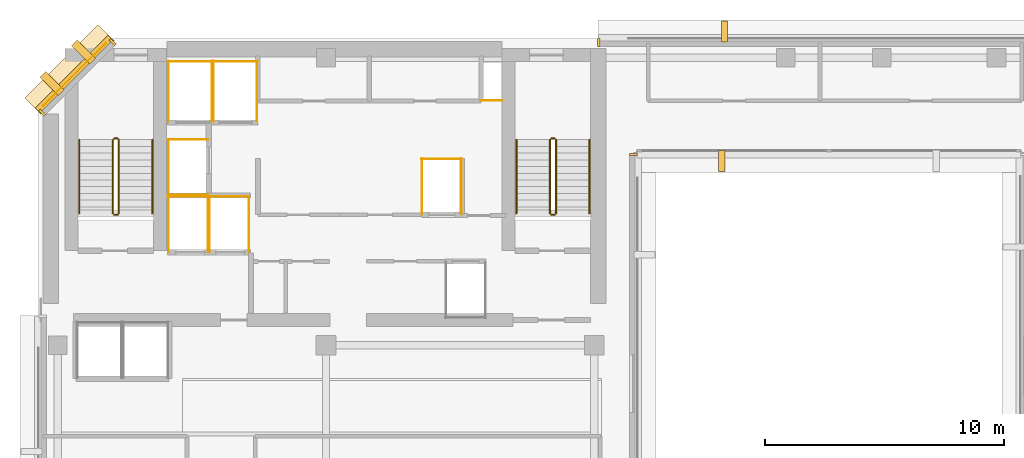
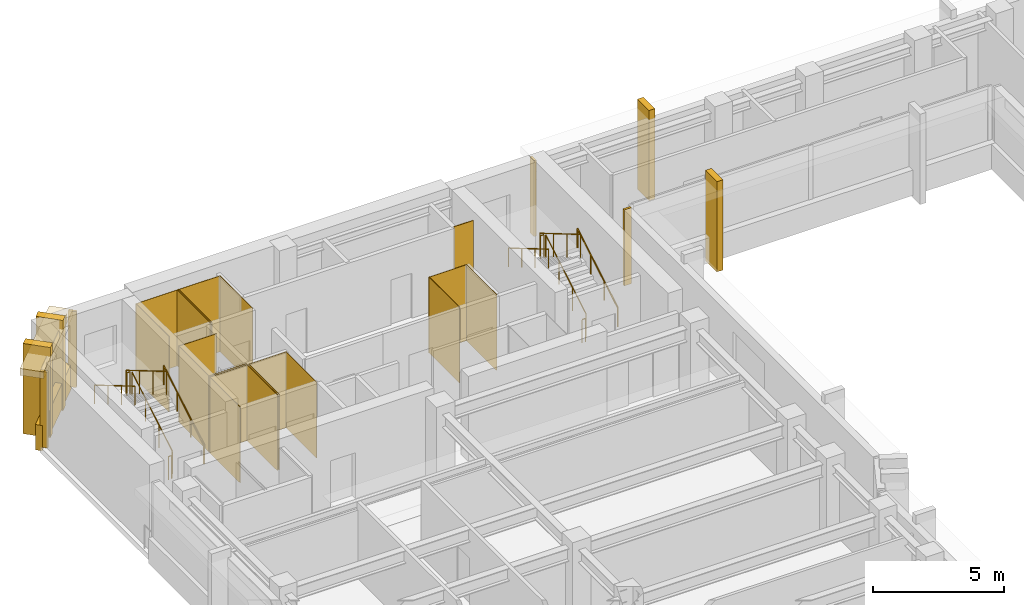
# One storey, part 10 of 11: 30 coverings, 12 railings.
"""IFC4 building model written with IfcOpenShell, lengths in metres."""

import ifcopenshell
import ifcopenshell.guid

model = None  # the IFC model being written
_history = None  # IfcOwnerHistory: only IFC2X3 demands one
_inside = {}  # id of a spatial element -> (the spatial element, [elements in it])
_under = {}  # id of a project, library or spatial element -> (it, [spatial elements below it])
_declared = {}  # id of a project -> (the project, [libraries it declares])
_typed = {}  # id of a type object -> (the type object, [elements of that type])
_made_of = {}  # id of a material, layer set ... -> (it, [elements and type objects made of it])


def new_model(schema):
    """Start an empty IFC model of exactly this schema.

    Asked for "IFC4X3", IfcOpenShell would pick the latest addendum, in which some entities
    have other attributes; the version numbers below select the first issue.
    IFC2X3 requires an IfcOwnerHistory on every rooted entity: one is made here for all.
    """
    global model, _history
    if schema == "IFC4X3":
        model = ifcopenshell.file(schema_version=(4, 3, 0, 0))
    else:
        model = ifcopenshell.file(schema=schema)
    _inside.clear()
    _under.clear()
    _declared.clear()
    _typed.clear()
    _made_of.clear()
    _history = None
    if model.schema == "IFC2X3":
        org = make("IfcOrganization", Name="unknown")
        user = make(
            "IfcPersonAndOrganization",
            ThePerson=make("IfcPerson", FamilyName="unknown"),
            TheOrganization=org,
        )
        app = make(
            "IfcApplication",
            ApplicationDeveloper=org,
            Version="unknown",
            ApplicationFullName="unknown",
            ApplicationIdentifier="unknown",
        )
        _history = make(
            "IfcOwnerHistory",
            OwningUser=user,
            OwningApplication=app,
            ChangeAction="ADDED",
            CreationDate=0,
        )
    return model


def make(cls, **values):
    """One entity of the class cls with the attributes given. An attribute that is None is left unset."""
    return model.create_entity(
        cls, **{name: value for name, value in values.items() if value is not None}
    )


def rooted(cls, **values):
    """An entity with a GlobalId (a new one), such as an element, a storey or a relation."""
    return make(cls, GlobalId=ifcopenshell.guid.new(), OwnerHistory=_history, **values)


def si_unit(unit_type, name, prefix=None):
    """IfcSIUnit, for example si_unit("LENGTHUNIT", "METRE", prefix="MILLI")."""
    return make("IfcSIUnit", UnitType=unit_type, Prefix=prefix, Name=name)


def assignment(units):
    """IfcUnitAssignment: the units of a project."""
    return None if units is None else make("IfcUnitAssignment", Units=units)


def point(xyz):
    """IfcCartesianPoint."""
    return None if xyz is None else make("IfcCartesianPoint", Coordinates=xyz)


def direction(xyz):
    """IfcDirection."""
    return None if xyz is None else make("IfcDirection", DirectionRatios=xyz)


def frame(location, z_axis=None, x_axis=None):
    """IfcAxis2Placement3D, a coordinate frame: its origin and axes. An axis left out is left unset."""
    return make(
        "IfcAxis2Placement3D",
        Location=point(location),
        Axis=direction(z_axis),
        RefDirection=direction(x_axis),
    )


def frame_2d(location, x_axis=None):
    """IfcAxis2Placement2D, a coordinate frame in the plane: its origin and x axis."""
    return make(
        "IfcAxis2Placement2D", Location=point(location), RefDirection=direction(x_axis)
    )


def origin():
    """The frame at (0, 0, 0) with its axes left unset."""
    return frame((0.0, 0.0, 0.0))


def origin_2d():
    """The frame at (0, 0) in the plane with its x axis left unset."""
    return frame_2d((0.0, 0.0))


def place(relative_to, where):
    """IfcLocalPlacement: puts the frame where relative to a parent placement (None: the world)."""
    return make(
        "IfcLocalPlacement", PlacementRelTo=relative_to, RelativePlacement=where
    )


def context(
    kind, dimensions, precision=None, world=None, true_north=None, identifier=None
):
    """IfcGeometricRepresentationContext, for example the 3D "Model" context."""
    return make(
        "IfcGeometricRepresentationContext",
        ContextIdentifier=identifier,
        ContextType=kind,
        CoordinateSpaceDimension=dimensions,
        Precision=precision,
        WorldCoordinateSystem=world,
        TrueNorth=true_north,
    )


def subcontext(parent, identifier, kind, view, scale=None):
    """IfcGeometricRepresentationSubContext, for example "Body" below "Model"."""
    return make(
        "IfcGeometricRepresentationSubContext",
        ContextIdentifier=identifier,
        ContextType=kind,
        ParentContext=parent,
        TargetScale=scale,
        TargetView=view,
    )


def project(units=None, contexts=None):
    """IfcProject with its units and contexts."""
    return rooted(
        "IfcProject",
        Name="project",
        RepresentationContexts=contexts,
        UnitsInContext=assignment(units),
    )


def spatial(cls, under=None, at=None, **own):
    """A site, building, storey or space (cls), placed at a placement, below another one or the project."""
    s = rooted(cls, ObjectPlacement=at, **own)
    if under is not None:
        _under.setdefault(under.id(), (under, []))[1].append(s)
    return s


def polyline(points):
    """IfcPolyline through the points."""
    return make("IfcPolyline", Points=[point(p) for p in points])


def profile(cls, at=None, kind="AREA", **sizes):
    """A parametric profile (cls). Its sizes go by their IFC names, for example OverallWidth=200.0."""
    return make(cls, ProfileType=kind, Position=at, **sizes)


def rectangle(**sizes):
    """IfcRectangleProfileDef."""
    return profile("IfcRectangleProfileDef", **sizes)


def circle(**sizes):
    """IfcCircleProfileDef."""
    return profile("IfcCircleProfileDef", **sizes)


def outline(outer, holes=None, kind="AREA"):
    """IfcArbitraryClosedProfileDef: a profile drawn as a closed curve; with holes, ...WithVoids."""
    if holes is None:
        return make("IfcArbitraryClosedProfileDef", ProfileType=kind, OuterCurve=outer)
    return make(
        "IfcArbitraryProfileDefWithVoids",
        ProfileType=kind,
        OuterCurve=outer,
        InnerCurves=holes,
    )


def extrude(swept, where, along, depth):
    """IfcExtrudedAreaSolid: the profile swept, set in the frame where, extruded along a direction by depth."""
    return make(
        "IfcExtrudedAreaSolid",
        SweptArea=swept,
        Position=where,
        ExtrudedDirection=direction(along),
        Depth=depth,
    )


def shape(context_of_items, identifier, shape_type, items):
    """IfcShapeRepresentation: the items that make up one representation, for example the "Body"."""
    return make(
        "IfcShapeRepresentation",
        ContextOfItems=context_of_items,
        RepresentationIdentifier=identifier,
        RepresentationType=shape_type,
        Items=items,
    )


def material(Name=None, Category=None):
    """IfcMaterial."""
    return make("IfcMaterial", Name=Name, Category=Category)


def layer(
    of_material, thickness, ventilated=None, Name=None, Category=None, Priority=None
):
    """IfcMaterialLayer: one layer of a wall or slab, of a material (None: an air gap)."""
    return make(
        "IfcMaterialLayer",
        Material=of_material,
        LayerThickness=thickness,
        IsVentilated=ventilated,
        Name=Name,
        Category=Category,
        Priority=Priority,
    )


def layer_set(layers, Name=None):
    """IfcMaterialLayerSet."""
    return make("IfcMaterialLayerSet", MaterialLayers=layers, LayerSetName=Name)


def made_of(thing, what):
    """Note that an element or type object is made of a material, layer set ...; save() writes the relation."""
    if what is not None:
        _made_of.setdefault(what.id(), (what, []))[1].append(thing)
    return thing


def type_object(cls, material=None, **own):
    """A type object (cls), such as IfcWallType, which elements share."""
    return made_of(rooted(cls, **own), material)


def element(
    cls,
    number,
    at=None,
    inside=None,
    cuts=None,
    type_object=None,
    material=None,
    context=None,
    identifier="Body",
    shape_type=None,
    held_by="IfcProductDefinitionShape",
    body=None,
    shapes=None,
    **own,
):
    """One element of the class cls, such as IfcWall. Its Tag is "e" and its number.

    at: its placement. inside: the storey or other place that contains it. cuts: it is an
    opening in that element (IfcRelVoidsElement). A single representation is given by context,
    identifier, shape_type and body (its items); several are given by shapes. held_by: the class
    of the entity that holds the representations. save() writes the other relations.
    """
    e = rooted(cls, Tag="e%d" % number, ObjectPlacement=at, **own)
    if body is not None:
        shapes = [shape(context, identifier, shape_type, body)]
    if shapes is not None:
        e.Representation = make(held_by, Representations=shapes)
    if inside is not None:
        _inside.setdefault(inside.id(), (inside, []))[1].append(e)
    if cuts is not None:
        rooted(
            "IfcRelVoidsElement", RelatingBuildingElement=cuts, RelatedOpeningElement=e
        )
    if type_object is not None:
        _typed.setdefault(type_object.id(), (type_object, []))[1].append(e)
    return made_of(e, material)


def aggregate(whole, parts):
    """IfcRelAggregates: a whole, such as a stair, and the parts it consists of."""
    return rooted("IfcRelAggregates", RelatingObject=whole, RelatedObjects=parts)


def save(model, path):
    """Write the relations noted so far, then the file.

    IfcRelAggregates (storeys below a building ...), IfcRelContainedInSpatialStructure (elements
    in a storey), IfcRelDefinesByType, IfcRelAssociatesMaterial and IfcRelDeclares: one each for
    every whole, place, type object, material and project.
    """
    for whole, parts in _under.values():
        aggregate(whole, parts)
    for where, things in _inside.values():
        rooted(
            "IfcRelContainedInSpatialStructure",
            RelatedElements=things,
            RelatingStructure=where,
        )
    for kind, things in _typed.values():
        rooted("IfcRelDefinesByType", RelatedObjects=things, RelatingType=kind)
    for what, things in _made_of.values():
        rooted("IfcRelAssociatesMaterial", RelatedObjects=things, RelatingMaterial=what)
    for by, libraries in _declared.values():
        rooted("IfcRelDeclares", RelatingContext=by, RelatedDefinitions=libraries)
    model.write(path)


model = new_model("IFC4")

# Units and contexts
model_context = context("Model", 3, precision=1e-05, world=origin(), true_north=direction((0.0, 1.0)))
body_context = subcontext(model_context, "Body", "Model", "MODEL_VIEW")
ifc_project = project(units=[si_unit("LENGTHUNIT", "METRE"), si_unit("AREAUNIT", "SQUARE_METRE"), si_unit("VOLUMEUNIT", "CUBIC_METRE"), si_unit("PLANEANGLEUNIT", "RADIAN"), si_unit("MASSUNIT", "GRAM", prefix="KILO")], contexts=[model_context])

# Site, building, storey
site_placement = place(None, origin())
site = spatial("IfcSite", under=ifc_project, at=site_placement, CompositionType="ELEMENT")
building_placement = place(site_placement, origin())
building = spatial("IfcBuilding", under=site, at=building_placement, Name="Kefirva Bronze Tower", CompositionType="ELEMENT")
storey_placement = place(building_placement, frame((0.0, 0.0, 247.5)))
storey = spatial("IfcBuildingStorey", under=building, at=storey_placement, Name="L60", CompositionType="ELEMENT", Elevation=247.5)

# Coverings
ifc_material_1 = material(Name="Bronze anodised aluminium", Category="aluminium")
ifc_layer_1 = layer(ifc_material_1, 0.02001953125, Name="Bronze anodised aluminium")
ifc_layer_set_1 = layer_set([ifc_layer_1], Name="Bronze anodised aluminium")
covering_type_1 = type_object("IfcCoveringType", Name="Anodised Bronze Spandrel Cladding 20mm", PredefinedType="CLADDING", material=ifc_layer_set_1)
for number, where, z_axis, x_axis, name in (
    (1, (24.840087890625, 41.1650390625, 0.0), (0.0, 0.0, 1.0), (0.0, 1.0, 0.0), "L60 Facade Joint Closure Panel 4E"),
    (2, (23.385009765625, 45.840087890625, 0.0), (0.0, 0.0, 1.0), (-1.0, 0.0, 0.0), "L60 Facade Joint Closure Panel 11E"),
):
    element("IfcCovering", number, at=place(storey_placement, frame(where, z_axis=z_axis, x_axis=x_axis)), inside=storey, type_object=covering_type_1, Name=name, PredefinedType="CLADDING", context=body_context, shape_type="SweptSolid", body=[
        extrude(rectangle(XDim=0.10009765625, YDim=0.320068359375, at=origin_2d()), origin(), (0.0, 0.0, 1.0), 3.5400390625),
    ])
covering_1_placement = place(storey_placement, frame((1.492919921875, 44.507080078125, 3.1201171875), z_axis=(0.0, 0.0, 1.0), x_axis=(-0.707106781187, -0.707106781187, 0.0)))
element("IfcCovering", 3, at=covering_1_placement, inside=storey, type_object=covering_type_1, Name="L60 Bronze Spandrel Cladding 12", PredefinedType="CLADDING", context=body_context, shape_type="SweptSolid", body=[
    extrude(rectangle(XDim=3.719482421875, YDim=0.02001953125, at=origin_2d()), origin(), (0.0, 0.0, 1.0), 0.39990234375),
])
for number, where, z_axis, x_axis, name in (
    (4, (3.08837890625, 45.862060546875, 0.0), (0.0, 0.0, 1.0), (-0.707106781187, -0.707106781187, 0.0), "L60 Facade Joint Closure Panel 12S"),
    (5, (0.137939453125, 42.91162109375, 0.0), (0.0, 0.0, 1.0), (-0.707106781187, -0.707106781187, 0.0), "L60 Facade Joint Closure Panel 12E"),
):
    element("IfcCovering", number, at=place(storey_placement, frame(where, z_axis=z_axis, x_axis=x_axis)), inside=storey, type_object=covering_type_1, Name=name, PredefinedType="CLADDING", context=body_context, shape_type="SweptSolid", body=[
        extrude(rectangle(XDim=0.10009765625, YDim=0.320068359375, at=origin_2d()), origin(), (0.0, 0.0, 1.0), 3.5400390625),
    ])
covering_2_placement = place(storey_placement, frame((1.4716796875, 44.5283203125, -0.16015625), z_axis=(0.0, 0.0, 1.0), x_axis=(-0.707106781187, -0.707106781187, 0.0)))
element("IfcCovering", 6, at=covering_2_placement, inside=storey, type_object=covering_type_1, Name="L60 Streamline Horizontal Spandrel Band 14", PredefinedType="CLADDING", context=body_context, shape_type="SweptSolid", body=[
    extrude(rectangle(XDim=4.28271484375, YDim=0.280029296875, at=origin_2d()), origin(), (0.0, 0.0, 1.0), 1.179931640625),
])
covering_3_placement = place(storey_placement, origin())
element("IfcCovering", 7, at=covering_3_placement, inside=storey, type_object=covering_type_1, Name="L60 Lift FF1 Hoistway Liner N", PredefinedType="CLADDING", context=body_context, shape_type="SweptSolid", body=[
    extrude(outline(polyline([(5.39990234375, 39.389892578125), (7.080078125, 39.389892578125), (7.080078125, 39.409912109375), (5.39990234375, 39.409912109375), (5.39990234375, 39.389892578125)])), origin(), (0.0, 0.0, 1.0), 3.5400390625),
])
covering_4_placement = place(storey_placement, origin())
element("IfcCovering", 8, at=covering_4_placement, inside=storey, type_object=covering_type_1, Name="L60 Lift FF1 Hoistway Liner W", PredefinedType="CLADDING", context=body_context, shape_type="SweptSolid", body=[
    extrude(outline(polyline([(5.409912109375, 37.080078125), (5.429931640625, 37.080078125), (5.429931640625, 39.419921875), (5.409912109375, 39.419921875), (5.409912109375, 37.080078125)])), origin(), (0.0, 0.0, 1.0), 3.5400390625),
])
covering_5_placement = place(storey_placement, origin())
element("IfcCovering", 9, at=covering_5_placement, inside=storey, type_object=covering_type_1, Name="L60 Lift FF1 Hoistway Liner E", PredefinedType="CLADDING", context=body_context, shape_type="SweptSolid", body=[
    extrude(outline(polyline([(7.050048828125, 37.080078125), (7.070068359375, 37.080078125), (7.070068359375, 39.419921875), (7.050048828125, 39.419921875), (7.050048828125, 37.080078125)])), origin(), (0.0, 0.0, 1.0), 3.5400390625),
])
covering_6_placement = place(storey_placement, origin())
element("IfcCovering", 10, at=covering_6_placement, inside=storey, type_object=covering_type_1, Name="L60 Lift FF2 Hoistway Liner N", PredefinedType="CLADDING", context=body_context, shape_type="SweptSolid", body=[
    extrude(outline(polyline([(7.1201171875, 39.389892578125), (8.800048828125, 39.389892578125), (8.800048828125, 39.409912109375), (7.1201171875, 39.409912109375), (7.1201171875, 39.389892578125)])), origin(), (0.0, 0.0, 1.0), 3.5400390625),
])
covering_7_placement = place(storey_placement, origin())
element("IfcCovering", 11, at=covering_7_placement, inside=storey, type_object=covering_type_1, Name="L60 Lift FF2 Hoistway Liner W", PredefinedType="CLADDING", context=body_context, shape_type="SweptSolid", body=[
    extrude(outline(polyline([(7.1298828125, 37.080078125), (7.14990234375, 37.080078125), (7.14990234375, 39.419921875), (7.1298828125, 39.419921875), (7.1298828125, 37.080078125)])), origin(), (0.0, 0.0, 1.0), 3.5400390625),
])
covering_8_placement = place(storey_placement, origin())
element("IfcCovering", 12, at=covering_8_placement, inside=storey, type_object=covering_type_1, Name="L60 Lift FF2 Hoistway Liner E", PredefinedType="CLADDING", context=body_context, shape_type="SweptSolid", body=[
    extrude(outline(polyline([(8.77001953125, 37.080078125), (8.7900390625, 37.080078125), (8.7900390625, 39.419921875), (8.77001953125, 39.419921875), (8.77001953125, 37.080078125)])), origin(), (0.0, 0.0, 1.0), 3.5400390625),
])
covering_9_placement = place(storey_placement, origin())
element("IfcCovering", 13, at=covering_9_placement, inside=storey, type_object=covering_type_1, Name="L60 Lift SV1 Hoistway Liner N", PredefinedType="CLADDING", context=body_context, shape_type="SweptSolid", body=[
    extrude(outline(polyline([(5.39990234375, 45.0400390625), (7.260009765625, 45.0400390625), (7.260009765625, 45.06005859375), (5.39990234375, 45.06005859375), (5.39990234375, 45.0400390625)])), origin(), (0.0, 0.0, 1.0), 3.5400390625),
])
covering_10_placement = place(storey_placement, origin())
element("IfcCovering", 14, at=covering_10_placement, inside=storey, type_object=covering_type_1, Name="L60 Lift SV1 Hoistway Liner W", PredefinedType="CLADDING", context=body_context, shape_type="SweptSolid", body=[
    extrude(outline(polyline([(5.409912109375, 42.530029296875), (5.429931640625, 42.530029296875), (5.429931640625, 45.070068359375), (5.409912109375, 45.070068359375), (5.409912109375, 42.530029296875)])), origin(), (0.0, 0.0, 1.0), 3.5400390625),
])
covering_11_placement = place(storey_placement, origin())
element("IfcCovering", 15, at=covering_11_placement, inside=storey, type_object=covering_type_1, Name="L60 Lift SV1 Hoistway Liner E", PredefinedType="CLADDING", context=body_context, shape_type="SweptSolid", body=[
    extrude(outline(polyline([(7.22998046875, 42.530029296875), (7.25, 42.530029296875), (7.25, 45.070068359375), (7.22998046875, 45.070068359375), (7.22998046875, 42.530029296875)])), origin(), (0.0, 0.0, 1.0), 3.5400390625),
])
covering_12_placement = place(storey_placement, origin())
element("IfcCovering", 16, at=covering_12_placement, inside=storey, type_object=covering_type_1, Name="L60 Lift SV2 Hoistway Liner N", PredefinedType="CLADDING", context=body_context, shape_type="SweptSolid", body=[
    extrude(outline(polyline([(7.280029296875, 45.0400390625), (9.139892578125, 45.0400390625), (9.139892578125, 45.06005859375), (7.280029296875, 45.06005859375), (7.280029296875, 45.0400390625)])), origin(), (0.0, 0.0, 1.0), 3.5400390625),
])
covering_13_placement = place(storey_placement, origin())
element("IfcCovering", 17, at=covering_13_placement, inside=storey, type_object=covering_type_1, Name="L60 Lift SV2 Hoistway Liner W", PredefinedType="CLADDING", context=body_context, shape_type="SweptSolid", body=[
    extrude(outline(polyline([(7.2900390625, 42.530029296875), (7.31005859375, 42.530029296875), (7.31005859375, 45.070068359375), (7.2900390625, 45.070068359375), (7.2900390625, 42.530029296875)])), origin(), (0.0, 0.0, 1.0), 3.5400390625),
])
covering_14_placement = place(storey_placement, origin())
element("IfcCovering", 18, at=covering_14_placement, inside=storey, type_object=covering_type_1, Name="L60 Lift SV2 Hoistway Liner E", PredefinedType="CLADDING", context=body_context, shape_type="SweptSolid", body=[
    extrude(outline(polyline([(9.110107421875, 42.530029296875), (9.1298828125, 42.530029296875), (9.1298828125, 45.070068359375), (9.110107421875, 45.070068359375), (9.110107421875, 42.530029296875)])), origin(), (0.0, 0.0, 1.0), 3.5400390625),
])
covering_15_placement = place(storey_placement, origin())
element("IfcCovering", 19, at=covering_15_placement, inside=storey, type_object=covering_type_1, Name="L60 Lift HP2 Hoistway Liner N", PredefinedType="CLADDING", context=body_context, shape_type="SweptSolid", body=[
    extrude(outline(polyline([(15.97998046875, 40.969970703125), (17.669921875, 40.969970703125), (17.669921875, 40.989990234375), (15.97998046875, 40.989990234375), (15.97998046875, 40.969970703125)])), origin(), (0.0, 0.0, 1.0), 3.5400390625),
])
covering_16_placement = place(storey_placement, origin())
element("IfcCovering", 20, at=covering_16_placement, inside=storey, type_object=covering_type_1, Name="L60 Lift HP2 Hoistway Liner W", PredefinedType="CLADDING", context=body_context, shape_type="SweptSolid", body=[
    extrude(outline(polyline([(15.989990234375, 38.659912109375), (16.010009765625, 38.659912109375), (16.010009765625, 41.0), (15.989990234375, 41.0), (15.989990234375, 38.659912109375)])), origin(), (0.0, 0.0, 1.0), 3.5400390625),
])
covering_17_placement = place(storey_placement, origin())
element("IfcCovering", 21, at=covering_17_placement, inside=storey, type_object=covering_type_1, Name="L60 Lift HP2 Hoistway Liner E", PredefinedType="CLADDING", context=body_context, shape_type="SweptSolid", body=[
    extrude(outline(polyline([(17.639892578125, 38.659912109375), (17.659912109375, 38.659912109375), (17.659912109375, 41.0), (17.639892578125, 41.0), (17.639892578125, 38.659912109375)])), origin(), (0.0, 0.0, 1.0), 3.5400390625),
])
covering_18_placement = place(storey_placement, origin())
element("IfcCovering", 22, at=covering_18_placement, inside=storey, type_object=covering_type_1, Name="L60 Lift HP3 Hoistway Liner N", PredefinedType="CLADDING", context=body_context, shape_type="SweptSolid", body=[
    extrude(outline(polyline([(5.39990234375, 41.77001953125), (7.080078125, 41.77001953125), (7.080078125, 41.7900390625), (5.39990234375, 41.7900390625), (5.39990234375, 41.77001953125)])), origin(), (0.0, 0.0, 1.0), 3.5400390625),
])
covering_19_placement = place(storey_placement, origin())
element("IfcCovering", 23, at=covering_19_placement, inside=storey, type_object=covering_type_1, Name="L60 Lift HP3 Hoistway Liner S", PredefinedType="CLADDING", context=body_context, shape_type="SweptSolid", body=[
    extrude(outline(polyline([(5.39990234375, 39.469970703125), (7.080078125, 39.469970703125), (7.080078125, 39.489990234375), (5.39990234375, 39.489990234375), (5.39990234375, 39.469970703125)])), origin(), (0.0, 0.0, 1.0), 3.5400390625),
])
covering_20_placement = place(storey_placement, origin())
element("IfcCovering", 24, at=covering_20_placement, inside=storey, type_object=covering_type_1, Name="L60 Lift HP3 Hoistway Liner W", PredefinedType="CLADDING", context=body_context, shape_type="SweptSolid", body=[
    extrude(outline(polyline([(5.409912109375, 39.4599609375), (5.429931640625, 39.4599609375), (5.429931640625, 41.800048828125), (5.409912109375, 41.800048828125), (5.409912109375, 39.4599609375)])), origin(), (0.0, 0.0, 1.0), 3.5400390625),
])
covering_21_placement = place(storey_placement, origin())
element("IfcCovering", 25, at=covering_21_placement, inside=storey, type_object=covering_type_1, Name="L60 Core MEP Riser Shaft Liner South", PredefinedType="CLADDING", context=body_context, shape_type="SweptSolid", body=[
    extrude(outline(polyline([(18.47998046875, 43.39990234375), (19.360107421875, 43.39990234375), (19.360107421875, 43.429931640625), (18.47998046875, 43.429931640625), (18.47998046875, 43.39990234375)])), origin(), (0.0, 0.0, 1.0), 3.5400390625),
])

# Railings
ifc_material_2 = material(Name="Stainless steel 316", Category="steel")
railing_type_1 = type_object("IfcRailingType", Name="Interior Stair Guardrail 1100mm", PredefinedType="GUARDRAIL", material=ifc_material_2)
railing_1_placement = place(storey_placement, frame((3.35009765625, 38.699951171875, 0.1650390625)))
element("IfcRailing", 26, at=railing_1_placement, inside=storey, type_object=railing_type_1, Name="L60 ST-1 stair guard 1", PredefinedType="GUARDRAIL", context=body_context, shape_type="SweptSolid", body=[
    extrude(circle(Radius=0.02392578125, at=origin_2d()), frame((0.0, 0.0, 1.076171875), z_axis=(0.0, 0.861551262678, 0.507670583921), x_axis=(-1.0, 0.0, 0.0)), (0.0, 0.0, 1.0), 3.574951171875),
    extrude(circle(Radius=0.02099609375, at=origin_2d()), origin(), (0.0, 0.0, 1.0), 1.052001953125),
    extrude(circle(Radius=0.02099609375, at=origin_2d()), frame((0.0, 1.026611328125, 0.60498046875)), (0.0, 0.0, 1.0), 1.052001953125),
    extrude(circle(Radius=0.02099609375, at=origin_2d()), frame((0.0, 2.053466796875, 1.2099609375)), (0.0, 0.0, 1.0), 1.052001953125),
    extrude(circle(Radius=0.02099609375, at=origin_2d()), frame((0.0, 3.080078125, 1.81494140625)), (0.0, 0.0, 1.0), 1.052001953125),
])
railing_2_placement = place(storey_placement, frame((3.300048828125, 41.830078125, 1.97998046875)))
element("IfcRailing", 27, at=railing_2_placement, inside=storey, type_object=railing_type_1, Name="L60 ST-1 stair guard 2", PredefinedType="GUARDRAIL", context=body_context, shape_type="SweptSolid", body=[
    extrude(circle(Radius=0.02392578125, at=origin_2d()), frame((0.0, 0.0, 1.076171875), z_axis=(-1.0, 0.0, 0.0), x_axis=(0.0, -1.0, 0.0)), (0.0, 0.0, 1.0), 0.150146484375),
    extrude(circle(Radius=0.02099609375, at=origin_2d()), origin(), (0.0, 0.0, 1.0), 1.052001953125),
    extrude(circle(Radius=0.02099609375, at=origin_2d()), frame((-0.150146484375, 0.0, 0.0)), (0.0, 0.0, 1.0), 1.052001953125),
])
railing_3_placement = place(storey_placement, frame((3.10009765625, 41.780029296875, 2.14501953125)))
element("IfcRailing", 28, at=railing_3_placement, inside=storey, type_object=railing_type_1, Name="L60 ST-1 stair guard 3", PredefinedType="GUARDRAIL", context=body_context, shape_type="SweptSolid", body=[
    extrude(circle(Radius=0.02392578125, at=origin_2d()), frame((0.0, 0.0, 1.076171875), z_axis=(0.0, -0.861551262678, 0.507670583921), x_axis=(1.0, 0.0, 0.0)), (0.0, 0.0, 1.0), 3.574951171875),
    extrude(circle(Radius=0.02099609375, at=origin_2d()), origin(), (0.0, 0.0, 1.0), 1.052001953125),
    extrude(circle(Radius=0.02099609375, at=origin_2d()), frame((0.0, -1.026611328125, 0.60498046875)), (0.0, 0.0, 1.0), 1.052001953125),
    extrude(circle(Radius=0.02099609375, at=origin_2d()), frame((0.0, -2.053466796875, 1.2099609375)), (0.0, 0.0, 1.0), 1.052001953125),
    extrude(circle(Radius=0.02099609375, at=origin_2d()), frame((0.0, -3.080078125, 1.81494140625)), (0.0, 0.0, 1.0), 1.052001953125),
])
railing_4_placement = place(storey_placement, frame((3.300048828125, 38.64990234375, 0.0)))
element("IfcRailing", 29, at=railing_4_placement, inside=storey, type_object=railing_type_1, Name="L60 ST-1 stair guard 4", PredefinedType="GUARDRAIL", context=body_context, shape_type="SweptSolid", body=[
    extrude(circle(Radius=0.02392578125, at=origin_2d()), frame((0.0, 0.0, 1.076171875), z_axis=(-1.0, 0.0, 0.0), x_axis=(0.0, -1.0, 0.0)), (0.0, 0.0, 1.0), 0.150146484375),
    extrude(circle(Radius=0.02099609375, at=origin_2d()), origin(), (0.0, 0.0, 1.0), 1.052001953125),
    extrude(circle(Radius=0.02099609375, at=origin_2d()), frame((-0.150146484375, 0.0, 0.0)), (0.0, 0.0, 1.0), 1.052001953125),
])
railing_5_placement = place(storey_placement, frame((21.60009765625, 38.699951171875, 0.1650390625)))
element("IfcRailing", 30, at=railing_5_placement, inside=storey, type_object=railing_type_1, Name="L60 ST-2 stair guard 1", PredefinedType="GUARDRAIL", context=body_context, shape_type="SweptSolid", body=[
    extrude(circle(Radius=0.02392578125, at=origin_2d()), frame((0.0, 0.0, 1.076171875), z_axis=(0.0, 0.861551262678, 0.507670583921), x_axis=(-1.0, 0.0, 0.0)), (0.0, 0.0, 1.0), 3.574951171875),
    extrude(circle(Radius=0.02099609375, at=origin_2d()), origin(), (0.0, 0.0, 1.0), 1.052001953125),
    extrude(circle(Radius=0.02099609375, at=origin_2d()), frame((0.0, 1.026611328125, 0.60498046875)), (0.0, 0.0, 1.0), 1.052001953125),
    extrude(circle(Radius=0.02099609375, at=origin_2d()), frame((0.0, 2.053466796875, 1.2099609375)), (0.0, 0.0, 1.0), 1.052001953125),
    extrude(circle(Radius=0.02099609375, at=origin_2d()), frame((0.0, 3.080078125, 1.81494140625)), (0.0, 0.0, 1.0), 1.052001953125),
])
railing_6_placement = place(storey_placement, frame((21.550048828125, 41.830078125, 1.97998046875)))
element("IfcRailing", 31, at=railing_6_placement, inside=storey, type_object=railing_type_1, Name="L60 ST-2 stair guard 2", PredefinedType="GUARDRAIL", context=body_context, shape_type="SweptSolid", body=[
    extrude(circle(Radius=0.02392578125, at=origin_2d()), frame((0.0, 0.0, 1.076171875), z_axis=(-1.0, 0.0, 0.0), x_axis=(0.0, -1.0, 0.0)), (0.0, 0.0, 1.0), 0.150146484375),
    extrude(circle(Radius=0.02099609375, at=origin_2d()), origin(), (0.0, 0.0, 1.0), 1.052001953125),
    extrude(circle(Radius=0.02099609375, at=origin_2d()), frame((-0.150146484375, 0.0, 0.0)), (0.0, 0.0, 1.0), 1.052001953125),
])
railing_7_placement = place(storey_placement, frame((21.35009765625, 41.780029296875, 2.14501953125)))
element("IfcRailing", 32, at=railing_7_placement, inside=storey, type_object=railing_type_1, Name="L60 ST-2 stair guard 3", PredefinedType="GUARDRAIL", context=body_context, shape_type="SweptSolid", body=[
    extrude(circle(Radius=0.02392578125, at=origin_2d()), frame((0.0, 0.0, 1.076171875), z_axis=(0.0, -0.861551262678, 0.507670583921), x_axis=(1.0, 0.0, 0.0)), (0.0, 0.0, 1.0), 3.574951171875),
    extrude(circle(Radius=0.02099609375, at=origin_2d()), origin(), (0.0, 0.0, 1.0), 1.052001953125),
    extrude(circle(Radius=0.02099609375, at=origin_2d()), frame((0.0, -1.026611328125, 0.60498046875)), (0.0, 0.0, 1.0), 1.052001953125),
    extrude(circle(Radius=0.02099609375, at=origin_2d()), frame((0.0, -2.053466796875, 1.2099609375)), (0.0, 0.0, 1.0), 1.052001953125),
    extrude(circle(Radius=0.02099609375, at=origin_2d()), frame((0.0, -3.080078125, 1.81494140625)), (0.0, 0.0, 1.0), 1.052001953125),
])
railing_8_placement = place(storey_placement, frame((21.550048828125, 38.64990234375, 0.0)))
element("IfcRailing", 33, at=railing_8_placement, inside=storey, type_object=railing_type_1, Name="L60 ST-2 stair guard 4", PredefinedType="GUARDRAIL", context=body_context, shape_type="SweptSolid", body=[
    extrude(circle(Radius=0.02392578125, at=origin_2d()), frame((0.0, 0.0, 1.076171875), z_axis=(-1.0, 0.0, 0.0), x_axis=(0.0, -1.0, 0.0)), (0.0, 0.0, 1.0), 0.150146484375),
    extrude(circle(Radius=0.02099609375, at=origin_2d()), origin(), (0.0, 0.0, 1.0), 1.052001953125),
    extrude(circle(Radius=0.02099609375, at=origin_2d()), frame((-0.150146484375, 0.0, 0.0)), (0.0, 0.0, 1.0), 1.052001953125),
])
railing_type_2 = type_object("IfcRailingType", Name="Stair Pitch Handrail 900mm", PredefinedType="HANDRAIL", material=ifc_material_2)
railing_9_placement = place(storey_placement, frame((4.75, 38.699951171875, 0.1650390625)))
element("IfcRailing", 34, at=railing_9_placement, inside=storey, type_object=railing_type_2, Name="L60 ST-1 stair handrail 1", PredefinedType="HANDRAIL", context=body_context, shape_type="SweptSolid", body=[
    extrude(circle(Radius=0.02392578125, at=origin_2d()), frame((0.0, 0.0, 0.8759765625), z_axis=(0.0, 0.861551262678, 0.507670583921), x_axis=(-1.0, 0.0, 0.0)), (0.0, 0.0, 1.0), 3.574951171875),
    extrude(circle(Radius=0.02099609375, at=origin_2d()), origin(), (0.0, 0.0, 1.0), 0.851806640625),
    extrude(circle(Radius=0.02099609375, at=origin_2d()), frame((0.0, 1.026611328125, 0.60498046875)), (0.0, 0.0, 1.0), 0.851806640625),
    extrude(circle(Radius=0.02099609375, at=origin_2d()), frame((0.0, 2.053466796875, 1.2099609375)), (0.0, 0.0, 1.0), 0.851806640625),
    extrude(circle(Radius=0.02099609375, at=origin_2d()), frame((0.0, 3.080078125, 1.81494140625)), (0.0, 0.0, 1.0), 0.851806640625),
])
railing_10_placement = place(storey_placement, frame((1.699951171875, 41.780029296875, 2.14501953125)))
element("IfcRailing", 35, at=railing_10_placement, inside=storey, type_object=railing_type_2, Name="L60 ST-1 stair handrail 2", PredefinedType="HANDRAIL", context=body_context, shape_type="SweptSolid", body=[
    extrude(circle(Radius=0.02392578125, at=origin_2d()), frame((0.0, 0.0, 0.8759765625), z_axis=(0.0, -0.861551262678, 0.507670583921), x_axis=(1.0, 0.0, 0.0)), (0.0, 0.0, 1.0), 3.574951171875),
    extrude(circle(Radius=0.02099609375, at=origin_2d()), origin(), (0.0, 0.0, 1.0), 0.851806640625),
    extrude(circle(Radius=0.02099609375, at=origin_2d()), frame((0.0, -1.026611328125, 0.60498046875)), (0.0, 0.0, 1.0), 0.851806640625),
    extrude(circle(Radius=0.02099609375, at=origin_2d()), frame((0.0, -2.053466796875, 1.2099609375)), (0.0, 0.0, 1.0), 0.851806640625),
    extrude(circle(Radius=0.02099609375, at=origin_2d()), frame((0.0, -3.080078125, 1.81494140625)), (0.0, 0.0, 1.0), 0.851806640625),
])
railing_11_placement = place(storey_placement, frame((23.0, 38.699951171875, 0.1650390625)))
element("IfcRailing", 36, at=railing_11_placement, inside=storey, type_object=railing_type_2, Name="L60 ST-2 stair handrail 1", PredefinedType="HANDRAIL", context=body_context, shape_type="SweptSolid", body=[
    extrude(circle(Radius=0.02392578125, at=origin_2d()), frame((0.0, 0.0, 0.8759765625), z_axis=(0.0, 0.861551262678, 0.507670583921), x_axis=(-1.0, 0.0, 0.0)), (0.0, 0.0, 1.0), 3.574951171875),
    extrude(circle(Radius=0.02099609375, at=origin_2d()), origin(), (0.0, 0.0, 1.0), 0.851806640625),
    extrude(circle(Radius=0.02099609375, at=origin_2d()), frame((0.0, 1.026611328125, 0.60498046875)), (0.0, 0.0, 1.0), 0.851806640625),
    extrude(circle(Radius=0.02099609375, at=origin_2d()), frame((0.0, 2.053466796875, 1.2099609375)), (0.0, 0.0, 1.0), 0.851806640625),
    extrude(circle(Radius=0.02099609375, at=origin_2d()), frame((0.0, 3.080078125, 1.81494140625)), (0.0, 0.0, 1.0), 0.851806640625),
])
railing_12_placement = place(storey_placement, frame((19.949951171875, 41.780029296875, 2.14501953125)))
element("IfcRailing", 37, at=railing_12_placement, inside=storey, type_object=railing_type_2, Name="L60 ST-2 stair handrail 2", PredefinedType="HANDRAIL", context=body_context, shape_type="SweptSolid", body=[
    extrude(circle(Radius=0.02392578125, at=origin_2d()), frame((0.0, 0.0, 0.8759765625), z_axis=(0.0, -0.861551262678, 0.507670583921), x_axis=(1.0, 0.0, 0.0)), (0.0, 0.0, 1.0), 3.574951171875),
    extrude(circle(Radius=0.02099609375, at=origin_2d()), origin(), (0.0, 0.0, 1.0), 0.851806640625),
    extrude(circle(Radius=0.02099609375, at=origin_2d()), frame((0.0, -1.026611328125, 0.60498046875)), (0.0, 0.0, 1.0), 0.851806640625),
    extrude(circle(Radius=0.02099609375, at=origin_2d()), frame((0.0, -2.053466796875, 1.2099609375)), (0.0, 0.0, 1.0), 0.851806640625),
    extrude(circle(Radius=0.02099609375, at=origin_2d()), frame((0.0, -3.080078125, 1.81494140625)), (0.0, 0.0, 1.0), 0.851806640625),
])

# Coverings
ifc_layer_2 = layer(ifc_material_1, 0.179931640625, Name="Bronze anodised aluminium")
ifc_layer_set_2 = layer_set([ifc_layer_2], Name="Bronze anodised aluminium")
covering_type_2 = type_object("IfcCoveringType", Name="Streamline Bronze Sunshade Eyebrow Cladding 180mm", PredefinedType="CLADDING", material=ifc_layer_set_2)
covering_22_placement = place(storey_placement, frame((1.28076171875, 44.71923828125, 3.2197265625), z_axis=(0.0, 0.0, 1.0), x_axis=(-0.707106781187, -0.707106781187, 0.0)))
element("IfcCovering", 38, at=covering_22_placement, inside=storey, type_object=covering_type_2, Name="L60 Streamline Bronze Sunshade Eyebrow 14", PredefinedType="CLADDING", context=body_context, shape_type="SweptSolid", body=[
    extrude(rectangle(XDim=4.322509765625, YDim=0.93994140625, at=origin_2d()), origin(), (0.0, 0.0, 1.0), 0.320068359375),
])
ifc_layer_3 = layer(ifc_material_1, 0.260009765625, Name="Bronze anodised aluminium")
ifc_layer_set_3 = layer_set([ifc_layer_3], Name="Bronze anodised aluminium")
covering_type_3 = type_object("IfcCoveringType", Name="Unbroken Bronze Buttress Fin Cladding 260mm", PredefinedType="CLADDING", material=ifc_layer_set_3)
for number, where, z_axis, x_axis, name in (
    (39, (28.52001953125, 40.89990234375, -0.25), (0.0, 0.0, 1.0), (1.0, 0.0, 0.0), "L60 Unbroken Vertical Bronze Rib Fin 11"),
    (40, (28.639892578125, 46.300048828125, -0.25), (0.0, 0.0, 1.0), (-1.0, 0.0, 0.0), "L60 Unbroken Vertical Bronze Rib Fin 24"),
):
    element("IfcCovering", number, at=place(storey_placement, frame(where, z_axis=z_axis, x_axis=x_axis)), inside=storey, type_object=covering_type_3, Name=name, PredefinedType="CLADDING", context=body_context, shape_type="SweptSolid", body=[
        extrude(rectangle(XDim=0.260009765625, YDim=0.8798828125, at=origin_2d()), origin(), (0.0, 0.0, 1.0), 4.2099609375),
    ])
for number, where, z_axis, x_axis, name in (
    (41, (1.877197265625, 45.44287109375, -0.25), (0.0, 0.0, 1.0), (-0.707106781187, -0.707106781187, 0.0), "L60 Chamfered Corner Buttress Fin Cladding 25"),
    (42, (0.55712890625, 44.122802734375, -0.25), (0.0, 0.0, 1.0), (-0.707106781187, -0.707106781187, 0.0), "L60 Chamfered Corner Buttress Fin Cladding 26"),
):
    element("IfcCovering", number, at=place(storey_placement, frame(where, z_axis=z_axis, x_axis=x_axis)), inside=storey, type_object=covering_type_3, Name=name, PredefinedType="CLADDING", context=body_context, shape_type="SweptSolid", body=[
        extrude(rectangle(XDim=0.340087890625, YDim=1.080078125, at=origin_2d()), origin(), (0.0, 0.0, 1.0), 4.2099609375),
    ])

save(model, "model.ifc")
